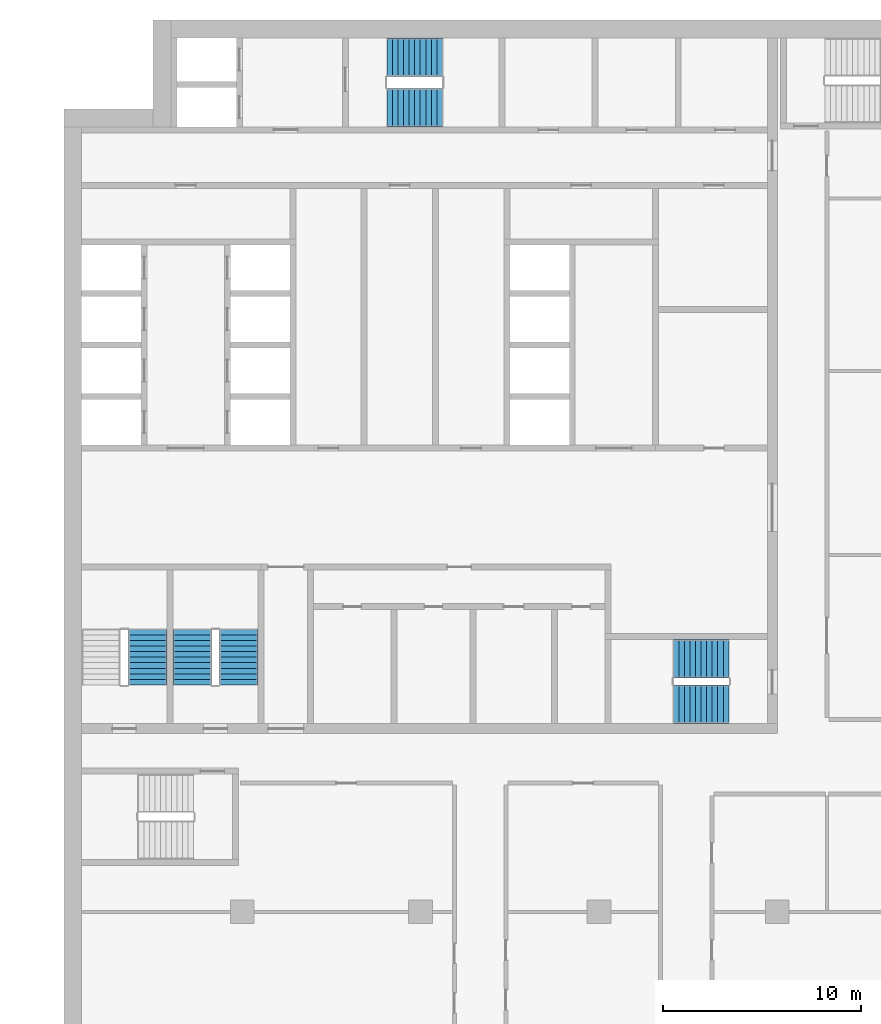
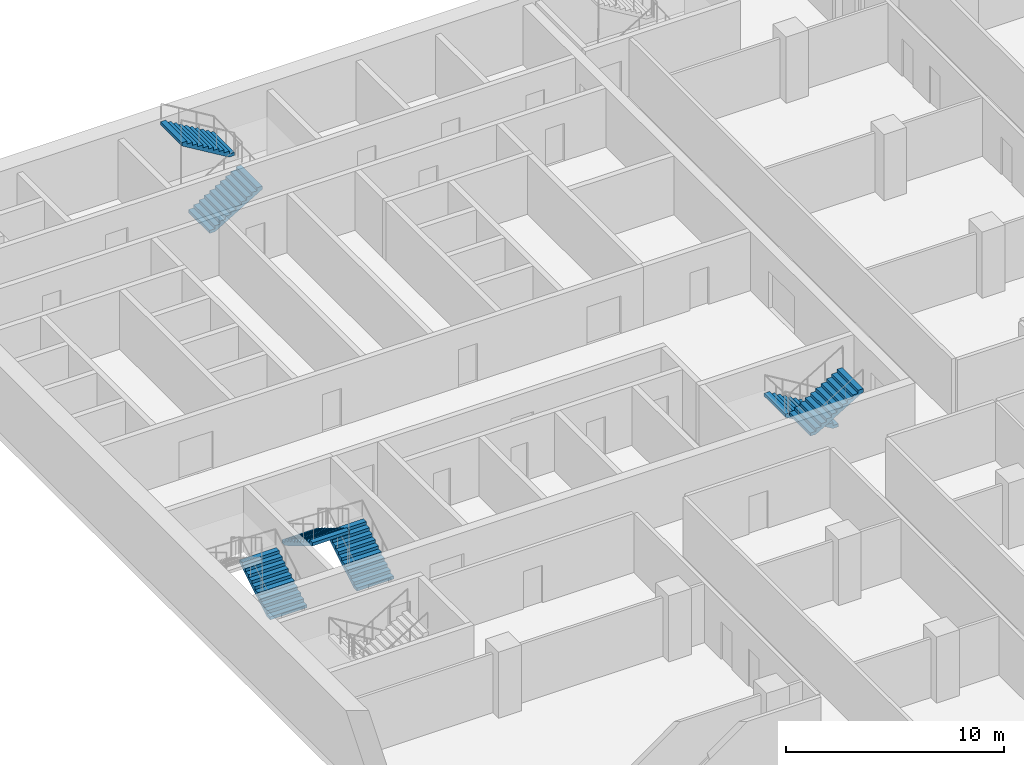
# One storey, part 17 of 23: 7 stair flights, 4 elements without a shape of their own.
"""IFC4 building model written with IfcOpenShell, lengths in metres."""

from ifc_helpers import new_model, si_unit, direction, frame, origin, place, context, subcontext, project, spatial, polyline, outline, extrude, material, type_object, element, aggregate, save


model = new_model("IFC4")

# Units and contexts
model_context = context("Model", 3, precision=1e-05, world=origin(), true_north=direction((0.0, 1.0)))
body_context = subcontext(model_context, "Body", "Model", "MODEL_VIEW")
ifc_project = project(units=[si_unit("LENGTHUNIT", "METRE"), si_unit("AREAUNIT", "SQUARE_METRE"), si_unit("VOLUMEUNIT", "CUBIC_METRE"), si_unit("PLANEANGLEUNIT", "RADIAN"), si_unit("MASSUNIT", "GRAM", prefix="KILO")], contexts=[model_context])

# Site, building, storey
site_placement = place(None, origin())
site = spatial("IfcSite", under=ifc_project, at=site_placement, CompositionType="ELEMENT")
building_placement = place(site_placement, origin())
building = spatial("IfcBuilding", under=site, at=building_placement, Name="Hunhe Ridgeline Campus", CompositionType="ELEMENT")
storey_placement = place(building_placement, frame((0.0, 0.0, 144.89990234375)))
storey = spatial("IfcBuildingStorey", under=building, at=storey_placement, Name="L36", CompositionType="ELEMENT", Elevation=144.89990234375)

# Stair, stair flights
ifc_material = material(Name="Concrete C40", Category="concrete")
stair_type = type_object("IfcStairType", Name="Reinforced concrete dog-leg stair 1950 Concrete C40", PredefinedType="HALF_TURN_STAIR", material=ifc_material)
stair_1_placement = place(storey_placement, origin())
stair_1 = element("IfcStair", 1, at=stair_1_placement, inside=storey, type_object=stair_type, Name="L36 S1", PredefinedType="HALF_TURN_STAIR")
stair_flight_type = type_object("IfcStairFlightType", Name="Reinforced concrete stair flight 1950 Concrete C40", PredefinedType="STRAIGHT", material=ifc_material)
stair_flight_1_placement = place(storey_placement, frame((16.300048828125, 94.574951171875, 0.0), z_axis=(0.0, 0.0, 1.0), x_axis=(1.0, 0.0, 0.0)))
stair_flight_1 = element("IfcStairFlight", 2, at=stair_flight_1_placement, type_object=stair_flight_type, Name="ST1 flight 1", NumberOfRisers=11, NumberOfTreads=10, PredefinedType="STRAIGHT", RiserHeight=0.168181818, TreadLength=0.28, context=body_context, shape_type="SweptSolid", body=[
    extrude(outline(polyline([(0.0, 0.0), (0.0, 0.168212890625), (0.280029296875, 0.168212890625), (0.280029296875, 0.33642578125), (0.56005859375, 0.33642578125), (0.56005859375, 0.504638671875), (0.840087890625, 0.504638671875), (0.840087890625, 0.672607421875), (1.1201171875, 0.672607421875), (1.1201171875, 0.8408203125), (1.39990234375, 0.8408203125), (1.39990234375, 1.009033203125), (1.679931640625, 1.009033203125), (1.679931640625, 1.17724609375), (1.9599609375, 1.17724609375), (1.9599609375, 1.345458984375), (2.239990234375, 1.345458984375), (2.239990234375, 1.513671875), (2.52001953125, 1.513671875), (2.52001953125, 1.681884765625), (2.800048828125, 1.681884765625), (2.800048828125, 1.85009765625), (2.800048828125, 1.5068359375), (0.291015625, 0.0), (0.0, 0.0)])), frame((0.0, 0.97509765625, 0.0), z_axis=(0.0, -1.0, 0.0), x_axis=(1.0, 0.0, 0.0)), (0.0, 0.0, 1.0), 1.949951171875),
    extrude(outline(polyline([(0.030029296875, 0.030029296875), (0.030029296875, 0.13818359375), (0.31005859375, 0.13818359375), (0.31005859375, 0.306396484375), (0.590087890625, 0.306396484375), (0.590087890625, 0.474609375), (0.8701171875, 0.474609375), (0.8701171875, 0.642578125), (1.14990234375, 0.642578125), (1.14990234375, 0.810791015625), (1.429931640625, 0.810791015625), (1.429931640625, 0.97900390625), (1.7099609375, 0.97900390625), (1.7099609375, 1.147216796875), (1.989990234375, 1.147216796875), (1.989990234375, 1.3154296875), (2.27001953125, 1.3154296875), (2.27001953125, 1.483642578125), (2.550048828125, 1.483642578125), (2.550048828125, 1.65185546875), (2.77001953125, 1.65185546875), (2.77001953125, 1.52392578125), (0.28271484375, 0.030029296875), (0.030029296875, 0.030029296875)])), frame((0.0, -0.070068359375, 0.0), z_axis=(0.0, -1.0, 0.0), x_axis=(1.0, 0.0, 0.0)), (0.0, 0.0, 1.0), 0.019775390625),
    extrude(outline(polyline([(0.030029296875, 0.030029296875), (0.030029296875, 0.13818359375), (0.31005859375, 0.13818359375), (0.31005859375, 0.306396484375), (0.590087890625, 0.306396484375), (0.590087890625, 0.474609375), (0.8701171875, 0.474609375), (0.8701171875, 0.642578125), (1.14990234375, 0.642578125), (1.14990234375, 0.810791015625), (1.429931640625, 0.810791015625), (1.429931640625, 0.97900390625), (1.7099609375, 0.97900390625), (1.7099609375, 1.147216796875), (1.989990234375, 1.147216796875), (1.989990234375, 1.3154296875), (2.27001953125, 1.3154296875), (2.27001953125, 1.483642578125), (2.550048828125, 1.483642578125), (2.550048828125, 1.65185546875), (2.77001953125, 1.65185546875), (2.77001953125, 1.52392578125), (0.28271484375, 0.030029296875), (0.030029296875, 0.030029296875)])), frame((0.0, 0.010009765625, 0.0), z_axis=(0.0, -1.0, 0.0), x_axis=(1.0, 0.0, 0.0)), (0.0, 0.0, 1.0), 0.019775390625),
    extrude(outline(polyline([(0.030029296875, 0.030029296875), (0.030029296875, 0.13818359375), (0.31005859375, 0.13818359375), (0.31005859375, 0.306396484375), (0.590087890625, 0.306396484375), (0.590087890625, 0.474609375), (0.8701171875, 0.474609375), (0.8701171875, 0.642578125), (1.14990234375, 0.642578125), (1.14990234375, 0.810791015625), (1.429931640625, 0.810791015625), (1.429931640625, 0.97900390625), (1.7099609375, 0.97900390625), (1.7099609375, 1.147216796875), (1.989990234375, 1.147216796875), (1.989990234375, 1.3154296875), (2.27001953125, 1.3154296875), (2.27001953125, 1.483642578125), (2.550048828125, 1.483642578125), (2.550048828125, 1.65185546875), (2.77001953125, 1.65185546875), (2.77001953125, 1.52392578125), (0.28271484375, 0.030029296875), (0.030029296875, 0.030029296875)])), frame((0.0, 0.090087890625, 0.0), z_axis=(0.0, -1.0, 0.0), x_axis=(1.0, 0.0, 0.0)), (0.0, 0.0, 1.0), 0.019775390625),
])
stair_flight_2_placement = place(storey_placement, frame((19.10009765625, 97.125, 1.85009765625), z_axis=(0.0, 0.0, 1.0), x_axis=(-1.0, 0.0, 0.0)))
stair_flight_2 = element("IfcStairFlight", 3, at=stair_flight_2_placement, type_object=stair_flight_type, Name="ST1 flight 2", NumberOfRisers=11, NumberOfTreads=10, PredefinedType="STRAIGHT", RiserHeight=0.168181818, TreadLength=0.28, context=body_context, shape_type="SweptSolid", body=[
    extrude(outline(polyline([(0.0, 0.0), (0.0, 0.168212890625), (0.280029296875, 0.168212890625), (0.280029296875, 0.33642578125), (0.56005859375, 0.33642578125), (0.56005859375, 0.504638671875), (0.840087890625, 0.504638671875), (0.840087890625, 0.672607421875), (1.1201171875, 0.672607421875), (1.1201171875, 0.8408203125), (1.39990234375, 0.8408203125), (1.39990234375, 1.009033203125), (1.679931640625, 1.009033203125), (1.679931640625, 1.17724609375), (1.9599609375, 1.17724609375), (1.9599609375, 1.345458984375), (2.239990234375, 1.345458984375), (2.239990234375, 1.513671875), (2.52001953125, 1.513671875), (2.52001953125, 1.681884765625), (2.800048828125, 1.681884765625), (2.800048828125, 1.85009765625), (2.800048828125, 1.5068359375), (0.291015625, 0.0), (0.0, 0.0)])), frame((0.0, 0.97509765625, 0.0), z_axis=(0.0, -1.0, 0.0), x_axis=(1.0, 0.0, 0.0)), (0.0, 0.0, 1.0), 1.949951171875),
    extrude(outline(polyline([(0.030029296875, 0.030029296875), (0.030029296875, 0.13818359375), (0.31005859375, 0.13818359375), (0.31005859375, 0.306396484375), (0.590087890625, 0.306396484375), (0.590087890625, 0.474609375), (0.8701171875, 0.474609375), (0.8701171875, 0.642578125), (1.14990234375, 0.642578125), (1.14990234375, 0.810791015625), (1.429931640625, 0.810791015625), (1.429931640625, 0.97900390625), (1.7099609375, 0.97900390625), (1.7099609375, 1.147216796875), (1.989990234375, 1.147216796875), (1.989990234375, 1.3154296875), (2.27001953125, 1.3154296875), (2.27001953125, 1.483642578125), (2.550048828125, 1.483642578125), (2.550048828125, 1.65185546875), (2.77001953125, 1.65185546875), (2.77001953125, 1.52392578125), (0.28271484375, 0.030029296875), (0.030029296875, 0.030029296875)])), frame((0.0, -0.070068359375, 0.0), z_axis=(0.0, -1.0, 0.0), x_axis=(1.0, 0.0, 0.0)), (0.0, 0.0, 1.0), 0.019775390625),
    extrude(outline(polyline([(0.030029296875, 0.030029296875), (0.030029296875, 0.13818359375), (0.31005859375, 0.13818359375), (0.31005859375, 0.306396484375), (0.590087890625, 0.306396484375), (0.590087890625, 0.474609375), (0.8701171875, 0.474609375), (0.8701171875, 0.642578125), (1.14990234375, 0.642578125), (1.14990234375, 0.810791015625), (1.429931640625, 0.810791015625), (1.429931640625, 0.97900390625), (1.7099609375, 0.97900390625), (1.7099609375, 1.147216796875), (1.989990234375, 1.147216796875), (1.989990234375, 1.3154296875), (2.27001953125, 1.3154296875), (2.27001953125, 1.483642578125), (2.550048828125, 1.483642578125), (2.550048828125, 1.65185546875), (2.77001953125, 1.65185546875), (2.77001953125, 1.52392578125), (0.28271484375, 0.030029296875), (0.030029296875, 0.030029296875)])), frame((0.0, 0.010009765625, 0.0), z_axis=(0.0, -1.0, 0.0), x_axis=(1.0, 0.0, 0.0)), (0.0, 0.0, 1.0), 0.019775390625),
    extrude(outline(polyline([(0.030029296875, 0.030029296875), (0.030029296875, 0.13818359375), (0.31005859375, 0.13818359375), (0.31005859375, 0.306396484375), (0.590087890625, 0.306396484375), (0.590087890625, 0.474609375), (0.8701171875, 0.474609375), (0.8701171875, 0.642578125), (1.14990234375, 0.642578125), (1.14990234375, 0.810791015625), (1.429931640625, 0.810791015625), (1.429931640625, 0.97900390625), (1.7099609375, 0.97900390625), (1.7099609375, 1.147216796875), (1.989990234375, 1.147216796875), (1.989990234375, 1.3154296875), (2.27001953125, 1.3154296875), (2.27001953125, 1.483642578125), (2.550048828125, 1.483642578125), (2.550048828125, 1.65185546875), (2.77001953125, 1.65185546875), (2.77001953125, 1.52392578125), (0.28271484375, 0.030029296875), (0.030029296875, 0.030029296875)])), frame((0.0, 0.090087890625, 0.0), z_axis=(0.0, -1.0, 0.0), x_axis=(1.0, 0.0, 0.0)), (0.0, 0.0, 1.0), 0.019775390625),
])
aggregate(stair_1, [stair_flight_1, stair_flight_2])

stair_2_placement = place(storey_placement, origin())
stair_2 = element("IfcStair", 4, at=stair_2_placement, inside=storey, type_object=stair_type, Name="L36 S2", PredefinedType="HALF_TURN_STAIR")
stair_flight_3_placement = place(storey_placement, frame((33.550048828125, 66.77490234375, 0.0), z_axis=(0.0, 0.0, 1.0), x_axis=(-1.0, 0.0, 0.0)))
stair_flight_3 = element("IfcStairFlight", 5, at=stair_flight_3_placement, type_object=stair_flight_type, Name="ST2 flight 1", NumberOfRisers=11, NumberOfTreads=10, PredefinedType="STRAIGHT", RiserHeight=0.168181818, TreadLength=0.28, context=body_context, shape_type="SweptSolid", body=[
    extrude(outline(polyline([(0.0, 0.0), (0.0, 0.168212890625), (0.280029296875, 0.168212890625), (0.280029296875, 0.33642578125), (0.56005859375, 0.33642578125), (0.56005859375, 0.504638671875), (0.840087890625, 0.504638671875), (0.840087890625, 0.672607421875), (1.1201171875, 0.672607421875), (1.1201171875, 0.8408203125), (1.39990234375, 0.8408203125), (1.39990234375, 1.009033203125), (1.679931640625, 1.009033203125), (1.679931640625, 1.17724609375), (1.9599609375, 1.17724609375), (1.9599609375, 1.345458984375), (2.239990234375, 1.345458984375), (2.239990234375, 1.513671875), (2.52001953125, 1.513671875), (2.52001953125, 1.681884765625), (2.800048828125, 1.681884765625), (2.800048828125, 1.85009765625), (2.800048828125, 1.5068359375), (0.291015625, 0.0), (0.0, 0.0)])), frame((0.0, 0.97509765625, 0.0), z_axis=(0.0, -1.0, 0.0), x_axis=(1.0, 0.0, 0.0)), (0.0, 0.0, 1.0), 1.949951171875),
    extrude(outline(polyline([(0.030029296875, 0.030029296875), (0.030029296875, 0.13818359375), (0.31005859375, 0.13818359375), (0.31005859375, 0.306396484375), (0.590087890625, 0.306396484375), (0.590087890625, 0.474609375), (0.8701171875, 0.474609375), (0.8701171875, 0.642578125), (1.14990234375, 0.642578125), (1.14990234375, 0.810791015625), (1.429931640625, 0.810791015625), (1.429931640625, 0.97900390625), (1.7099609375, 0.97900390625), (1.7099609375, 1.147216796875), (1.989990234375, 1.147216796875), (1.989990234375, 1.3154296875), (2.27001953125, 1.3154296875), (2.27001953125, 1.483642578125), (2.550048828125, 1.483642578125), (2.550048828125, 1.65185546875), (2.77001953125, 1.65185546875), (2.77001953125, 1.52392578125), (0.28271484375, 0.030029296875), (0.030029296875, 0.030029296875)])), frame((0.0, -0.070068359375, 0.0), z_axis=(0.0, -1.0, 0.0), x_axis=(1.0, 0.0, 0.0)), (0.0, 0.0, 1.0), 0.019775390625),
    extrude(outline(polyline([(0.030029296875, 0.030029296875), (0.030029296875, 0.13818359375), (0.31005859375, 0.13818359375), (0.31005859375, 0.306396484375), (0.590087890625, 0.306396484375), (0.590087890625, 0.474609375), (0.8701171875, 0.474609375), (0.8701171875, 0.642578125), (1.14990234375, 0.642578125), (1.14990234375, 0.810791015625), (1.429931640625, 0.810791015625), (1.429931640625, 0.97900390625), (1.7099609375, 0.97900390625), (1.7099609375, 1.147216796875), (1.989990234375, 1.147216796875), (1.989990234375, 1.3154296875), (2.27001953125, 1.3154296875), (2.27001953125, 1.483642578125), (2.550048828125, 1.483642578125), (2.550048828125, 1.65185546875), (2.77001953125, 1.65185546875), (2.77001953125, 1.52392578125), (0.28271484375, 0.030029296875), (0.030029296875, 0.030029296875)])), frame((0.0, 0.010009765625, 0.0), z_axis=(0.0, -1.0, 0.0), x_axis=(1.0, 0.0, 0.0)), (0.0, 0.0, 1.0), 0.019775390625),
    extrude(outline(polyline([(0.030029296875, 0.030029296875), (0.030029296875, 0.13818359375), (0.31005859375, 0.13818359375), (0.31005859375, 0.306396484375), (0.590087890625, 0.306396484375), (0.590087890625, 0.474609375), (0.8701171875, 0.474609375), (0.8701171875, 0.642578125), (1.14990234375, 0.642578125), (1.14990234375, 0.810791015625), (1.429931640625, 0.810791015625), (1.429931640625, 0.97900390625), (1.7099609375, 0.97900390625), (1.7099609375, 1.147216796875), (1.989990234375, 1.147216796875), (1.989990234375, 1.3154296875), (2.27001953125, 1.3154296875), (2.27001953125, 1.483642578125), (2.550048828125, 1.483642578125), (2.550048828125, 1.65185546875), (2.77001953125, 1.65185546875), (2.77001953125, 1.52392578125), (0.28271484375, 0.030029296875), (0.030029296875, 0.030029296875)])), frame((0.0, 0.090087890625, 0.0), z_axis=(0.0, -1.0, 0.0), x_axis=(1.0, 0.0, 0.0)), (0.0, 0.0, 1.0), 0.019775390625),
])
stair_flight_4_placement = place(storey_placement, frame((30.75, 64.47509765625, 1.85009765625), z_axis=(0.0, 0.0, 1.0), x_axis=(1.0, 0.0, 0.0)))
stair_flight_4 = element("IfcStairFlight", 6, at=stair_flight_4_placement, type_object=stair_flight_type, Name="ST2 flight 2", NumberOfRisers=11, NumberOfTreads=10, PredefinedType="STRAIGHT", RiserHeight=0.168181818, TreadLength=0.28, context=body_context, shape_type="SweptSolid", body=[
    extrude(outline(polyline([(0.0, 0.0), (0.0, 0.168212890625), (0.280029296875, 0.168212890625), (0.280029296875, 0.33642578125), (0.56005859375, 0.33642578125), (0.56005859375, 0.504638671875), (0.840087890625, 0.504638671875), (0.840087890625, 0.672607421875), (1.1201171875, 0.672607421875), (1.1201171875, 0.8408203125), (1.39990234375, 0.8408203125), (1.39990234375, 1.009033203125), (1.679931640625, 1.009033203125), (1.679931640625, 1.17724609375), (1.9599609375, 1.17724609375), (1.9599609375, 1.345458984375), (2.239990234375, 1.345458984375), (2.239990234375, 1.513671875), (2.52001953125, 1.513671875), (2.52001953125, 1.681884765625), (2.800048828125, 1.681884765625), (2.800048828125, 1.85009765625), (2.800048828125, 1.5068359375), (0.291015625, 0.0), (0.0, 0.0)])), frame((0.0, 0.97509765625, 0.0), z_axis=(0.0, -1.0, 0.0), x_axis=(1.0, 0.0, 0.0)), (0.0, 0.0, 1.0), 1.949951171875),
    extrude(outline(polyline([(0.030029296875, 0.030029296875), (0.030029296875, 0.13818359375), (0.31005859375, 0.13818359375), (0.31005859375, 0.306396484375), (0.590087890625, 0.306396484375), (0.590087890625, 0.474609375), (0.8701171875, 0.474609375), (0.8701171875, 0.642578125), (1.14990234375, 0.642578125), (1.14990234375, 0.810791015625), (1.429931640625, 0.810791015625), (1.429931640625, 0.97900390625), (1.7099609375, 0.97900390625), (1.7099609375, 1.147216796875), (1.989990234375, 1.147216796875), (1.989990234375, 1.3154296875), (2.27001953125, 1.3154296875), (2.27001953125, 1.483642578125), (2.550048828125, 1.483642578125), (2.550048828125, 1.65185546875), (2.77001953125, 1.65185546875), (2.77001953125, 1.52392578125), (0.28271484375, 0.030029296875), (0.030029296875, 0.030029296875)])), frame((0.0, -0.070068359375, 0.0), z_axis=(0.0, -1.0, 0.0), x_axis=(1.0, 0.0, 0.0)), (0.0, 0.0, 1.0), 0.019775390625),
    extrude(outline(polyline([(0.030029296875, 0.030029296875), (0.030029296875, 0.13818359375), (0.31005859375, 0.13818359375), (0.31005859375, 0.306396484375), (0.590087890625, 0.306396484375), (0.590087890625, 0.474609375), (0.8701171875, 0.474609375), (0.8701171875, 0.642578125), (1.14990234375, 0.642578125), (1.14990234375, 0.810791015625), (1.429931640625, 0.810791015625), (1.429931640625, 0.97900390625), (1.7099609375, 0.97900390625), (1.7099609375, 1.147216796875), (1.989990234375, 1.147216796875), (1.989990234375, 1.3154296875), (2.27001953125, 1.3154296875), (2.27001953125, 1.483642578125), (2.550048828125, 1.483642578125), (2.550048828125, 1.65185546875), (2.77001953125, 1.65185546875), (2.77001953125, 1.52392578125), (0.28271484375, 0.030029296875), (0.030029296875, 0.030029296875)])), frame((0.0, 0.010009765625, 0.0), z_axis=(0.0, -1.0, 0.0), x_axis=(1.0, 0.0, 0.0)), (0.0, 0.0, 1.0), 0.019775390625),
    extrude(outline(polyline([(0.030029296875, 0.030029296875), (0.030029296875, 0.13818359375), (0.31005859375, 0.13818359375), (0.31005859375, 0.306396484375), (0.590087890625, 0.306396484375), (0.590087890625, 0.474609375), (0.8701171875, 0.474609375), (0.8701171875, 0.642578125), (1.14990234375, 0.642578125), (1.14990234375, 0.810791015625), (1.429931640625, 0.810791015625), (1.429931640625, 0.97900390625), (1.7099609375, 0.97900390625), (1.7099609375, 1.147216796875), (1.989990234375, 1.147216796875), (1.989990234375, 1.3154296875), (2.27001953125, 1.3154296875), (2.27001953125, 1.483642578125), (2.550048828125, 1.483642578125), (2.550048828125, 1.65185546875), (2.77001953125, 1.65185546875), (2.77001953125, 1.52392578125), (0.28271484375, 0.030029296875), (0.030029296875, 0.030029296875)])), frame((0.0, 0.090087890625, 0.0), z_axis=(0.0, -1.0, 0.0), x_axis=(1.0, 0.0, 0.0)), (0.0, 0.0, 1.0), 0.019775390625),
])
aggregate(stair_2, [stair_flight_3, stair_flight_4])

# Stair, stair flight
stair_3_placement = place(storey_placement, origin())
stair_3 = element("IfcStair", 7, at=stair_3_placement, inside=storey, type_object=stair_type, Name="L36 S3", PredefinedType="HALF_TURN_STAIR")
stair_flight_5_placement = place(storey_placement, frame((4.22509765625, 65.449951171875, 0.0), z_axis=(0.0, 0.0, 1.0), x_axis=(0.0, 1.0, 0.0)))
stair_flight_5 = element("IfcStairFlight", 8, at=stair_flight_5_placement, type_object=stair_flight_type, Name="ST3 flight 1", NumberOfRisers=11, NumberOfTreads=10, PredefinedType="STRAIGHT", RiserHeight=0.168181818, TreadLength=0.28, context=body_context, shape_type="SweptSolid", body=[
    extrude(outline(polyline([(0.0, 0.0), (0.0, 0.168212890625), (0.280029296875, 0.168212890625), (0.280029296875, 0.33642578125), (0.56005859375, 0.33642578125), (0.56005859375, 0.504638671875), (0.840087890625, 0.504638671875), (0.840087890625, 0.672607421875), (1.1201171875, 0.672607421875), (1.1201171875, 0.8408203125), (1.39990234375, 0.8408203125), (1.39990234375, 1.009033203125), (1.679931640625, 1.009033203125), (1.679931640625, 1.17724609375), (1.9599609375, 1.17724609375), (1.9599609375, 1.345458984375), (2.239990234375, 1.345458984375), (2.239990234375, 1.513671875), (2.52001953125, 1.513671875), (2.52001953125, 1.681884765625), (2.800048828125, 1.681884765625), (2.800048828125, 1.85009765625), (2.800048828125, 1.5068359375), (0.291015625, 0.0), (0.0, 0.0)])), frame((0.0, 0.97509765625, 0.0), z_axis=(0.0, -1.0, 0.0), x_axis=(1.0, 0.0, 0.0)), (0.0, 0.0, 1.0), 1.949951171875),
    extrude(outline(polyline([(0.030029296875, 0.030029296875), (0.030029296875, 0.13818359375), (0.31005859375, 0.13818359375), (0.31005859375, 0.306396484375), (0.590087890625, 0.306396484375), (0.590087890625, 0.474609375), (0.8701171875, 0.474609375), (0.8701171875, 0.642578125), (1.14990234375, 0.642578125), (1.14990234375, 0.810791015625), (1.429931640625, 0.810791015625), (1.429931640625, 0.97900390625), (1.7099609375, 0.97900390625), (1.7099609375, 1.147216796875), (1.989990234375, 1.147216796875), (1.989990234375, 1.3154296875), (2.27001953125, 1.3154296875), (2.27001953125, 1.483642578125), (2.550048828125, 1.483642578125), (2.550048828125, 1.65185546875), (2.77001953125, 1.65185546875), (2.77001953125, 1.52392578125), (0.28271484375, 0.030029296875), (0.030029296875, 0.030029296875)])), frame((0.0, -0.070068359375, 0.0), z_axis=(0.0, -1.0, 0.0), x_axis=(1.0, 0.0, 0.0)), (0.0, 0.0, 1.0), 0.019775390625),
    extrude(outline(polyline([(0.030029296875, 0.030029296875), (0.030029296875, 0.13818359375), (0.31005859375, 0.13818359375), (0.31005859375, 0.306396484375), (0.590087890625, 0.306396484375), (0.590087890625, 0.474609375), (0.8701171875, 0.474609375), (0.8701171875, 0.642578125), (1.14990234375, 0.642578125), (1.14990234375, 0.810791015625), (1.429931640625, 0.810791015625), (1.429931640625, 0.97900390625), (1.7099609375, 0.97900390625), (1.7099609375, 1.147216796875), (1.989990234375, 1.147216796875), (1.989990234375, 1.3154296875), (2.27001953125, 1.3154296875), (2.27001953125, 1.483642578125), (2.550048828125, 1.483642578125), (2.550048828125, 1.65185546875), (2.77001953125, 1.65185546875), (2.77001953125, 1.52392578125), (0.28271484375, 0.030029296875), (0.030029296875, 0.030029296875)])), frame((0.0, 0.010009765625, 0.0), z_axis=(0.0, -1.0, 0.0), x_axis=(1.0, 0.0, 0.0)), (0.0, 0.0, 1.0), 0.019775390625),
    extrude(outline(polyline([(0.030029296875, 0.030029296875), (0.030029296875, 0.13818359375), (0.31005859375, 0.13818359375), (0.31005859375, 0.306396484375), (0.590087890625, 0.306396484375), (0.590087890625, 0.474609375), (0.8701171875, 0.474609375), (0.8701171875, 0.642578125), (1.14990234375, 0.642578125), (1.14990234375, 0.810791015625), (1.429931640625, 0.810791015625), (1.429931640625, 0.97900390625), (1.7099609375, 0.97900390625), (1.7099609375, 1.147216796875), (1.989990234375, 1.147216796875), (1.989990234375, 1.3154296875), (2.27001953125, 1.3154296875), (2.27001953125, 1.483642578125), (2.550048828125, 1.483642578125), (2.550048828125, 1.65185546875), (2.77001953125, 1.65185546875), (2.77001953125, 1.52392578125), (0.28271484375, 0.030029296875), (0.030029296875, 0.030029296875)])), frame((0.0, 0.090087890625, 0.0), z_axis=(0.0, -1.0, 0.0), x_axis=(1.0, 0.0, 0.0)), (0.0, 0.0, 1.0), 0.019775390625),
])
aggregate(stair_3, [stair_flight_5])

# Stair, stair flights
stair_4_placement = place(storey_placement, origin())
stair_4 = element("IfcStair", 9, at=stair_4_placement, inside=storey, type_object=stair_type, Name="L36 S4", PredefinedType="HALF_TURN_STAIR")
stair_flight_6_placement = place(storey_placement, frame((8.824951171875, 65.449951171875, 0.0), z_axis=(0.0, 0.0, 1.0), x_axis=(0.0, 1.0, 0.0)))
stair_flight_6 = element("IfcStairFlight", 10, at=stair_flight_6_placement, type_object=stair_flight_type, Name="ST4 flight 1", NumberOfRisers=11, NumberOfTreads=10, PredefinedType="STRAIGHT", RiserHeight=0.168181818, TreadLength=0.28, context=body_context, shape_type="SweptSolid", body=[
    extrude(outline(polyline([(0.0, 0.0), (0.0, 0.168212890625), (0.280029296875, 0.168212890625), (0.280029296875, 0.33642578125), (0.56005859375, 0.33642578125), (0.56005859375, 0.504638671875), (0.840087890625, 0.504638671875), (0.840087890625, 0.672607421875), (1.1201171875, 0.672607421875), (1.1201171875, 0.8408203125), (1.39990234375, 0.8408203125), (1.39990234375, 1.009033203125), (1.679931640625, 1.009033203125), (1.679931640625, 1.17724609375), (1.9599609375, 1.17724609375), (1.9599609375, 1.345458984375), (2.239990234375, 1.345458984375), (2.239990234375, 1.513671875), (2.52001953125, 1.513671875), (2.52001953125, 1.681884765625), (2.800048828125, 1.681884765625), (2.800048828125, 1.85009765625), (2.800048828125, 1.5068359375), (0.291015625, 0.0), (0.0, 0.0)])), frame((0.0, 0.97509765625, 0.0), z_axis=(0.0, -1.0, 0.0), x_axis=(1.0, 0.0, 0.0)), (0.0, 0.0, 1.0), 1.949951171875),
    extrude(outline(polyline([(0.030029296875, 0.030029296875), (0.030029296875, 0.13818359375), (0.31005859375, 0.13818359375), (0.31005859375, 0.306396484375), (0.590087890625, 0.306396484375), (0.590087890625, 0.474609375), (0.8701171875, 0.474609375), (0.8701171875, 0.642578125), (1.14990234375, 0.642578125), (1.14990234375, 0.810791015625), (1.429931640625, 0.810791015625), (1.429931640625, 0.97900390625), (1.7099609375, 0.97900390625), (1.7099609375, 1.147216796875), (1.989990234375, 1.147216796875), (1.989990234375, 1.3154296875), (2.27001953125, 1.3154296875), (2.27001953125, 1.483642578125), (2.550048828125, 1.483642578125), (2.550048828125, 1.65185546875), (2.77001953125, 1.65185546875), (2.77001953125, 1.52392578125), (0.28271484375, 0.030029296875), (0.030029296875, 0.030029296875)])), frame((0.0, -0.070068359375, 0.0), z_axis=(0.0, -1.0, 0.0), x_axis=(1.0, 0.0, 0.0)), (0.0, 0.0, 1.0), 0.019775390625),
    extrude(outline(polyline([(0.030029296875, 0.030029296875), (0.030029296875, 0.13818359375), (0.31005859375, 0.13818359375), (0.31005859375, 0.306396484375), (0.590087890625, 0.306396484375), (0.590087890625, 0.474609375), (0.8701171875, 0.474609375), (0.8701171875, 0.642578125), (1.14990234375, 0.642578125), (1.14990234375, 0.810791015625), (1.429931640625, 0.810791015625), (1.429931640625, 0.97900390625), (1.7099609375, 0.97900390625), (1.7099609375, 1.147216796875), (1.989990234375, 1.147216796875), (1.989990234375, 1.3154296875), (2.27001953125, 1.3154296875), (2.27001953125, 1.483642578125), (2.550048828125, 1.483642578125), (2.550048828125, 1.65185546875), (2.77001953125, 1.65185546875), (2.77001953125, 1.52392578125), (0.28271484375, 0.030029296875), (0.030029296875, 0.030029296875)])), frame((0.0, 0.010009765625, 0.0), z_axis=(0.0, -1.0, 0.0), x_axis=(1.0, 0.0, 0.0)), (0.0, 0.0, 1.0), 0.019775390625),
    extrude(outline(polyline([(0.030029296875, 0.030029296875), (0.030029296875, 0.13818359375), (0.31005859375, 0.13818359375), (0.31005859375, 0.306396484375), (0.590087890625, 0.306396484375), (0.590087890625, 0.474609375), (0.8701171875, 0.474609375), (0.8701171875, 0.642578125), (1.14990234375, 0.642578125), (1.14990234375, 0.810791015625), (1.429931640625, 0.810791015625), (1.429931640625, 0.97900390625), (1.7099609375, 0.97900390625), (1.7099609375, 1.147216796875), (1.989990234375, 1.147216796875), (1.989990234375, 1.3154296875), (2.27001953125, 1.3154296875), (2.27001953125, 1.483642578125), (2.550048828125, 1.483642578125), (2.550048828125, 1.65185546875), (2.77001953125, 1.65185546875), (2.77001953125, 1.52392578125), (0.28271484375, 0.030029296875), (0.030029296875, 0.030029296875)])), frame((0.0, 0.090087890625, 0.0), z_axis=(0.0, -1.0, 0.0), x_axis=(1.0, 0.0, 0.0)), (0.0, 0.0, 1.0), 0.019775390625),
])
stair_flight_7_placement = place(storey_placement, frame((6.47509765625, 68.25, 1.85009765625), z_axis=(0.0, 0.0, 1.0), x_axis=(0.0, -1.0, 0.0)))
stair_flight_7 = element("IfcStairFlight", 11, at=stair_flight_7_placement, type_object=stair_flight_type, Name="ST4 flight 2", NumberOfRisers=11, NumberOfTreads=10, PredefinedType="STRAIGHT", RiserHeight=0.168181818, TreadLength=0.28, context=body_context, shape_type="SweptSolid", body=[
    extrude(outline(polyline([(0.0, 0.0), (0.0, 0.168212890625), (0.280029296875, 0.168212890625), (0.280029296875, 0.33642578125), (0.56005859375, 0.33642578125), (0.56005859375, 0.504638671875), (0.840087890625, 0.504638671875), (0.840087890625, 0.672607421875), (1.1201171875, 0.672607421875), (1.1201171875, 0.8408203125), (1.39990234375, 0.8408203125), (1.39990234375, 1.009033203125), (1.679931640625, 1.009033203125), (1.679931640625, 1.17724609375), (1.9599609375, 1.17724609375), (1.9599609375, 1.345458984375), (2.239990234375, 1.345458984375), (2.239990234375, 1.513671875), (2.52001953125, 1.513671875), (2.52001953125, 1.681884765625), (2.800048828125, 1.681884765625), (2.800048828125, 1.85009765625), (2.800048828125, 1.5068359375), (0.291015625, 0.0), (0.0, 0.0)])), frame((0.0, 0.97509765625, 0.0), z_axis=(0.0, -1.0, 0.0), x_axis=(1.0, 0.0, 0.0)), (0.0, 0.0, 1.0), 1.949951171875),
    extrude(outline(polyline([(0.030029296875, 0.030029296875), (0.030029296875, 0.13818359375), (0.31005859375, 0.13818359375), (0.31005859375, 0.306396484375), (0.590087890625, 0.306396484375), (0.590087890625, 0.474609375), (0.8701171875, 0.474609375), (0.8701171875, 0.642578125), (1.14990234375, 0.642578125), (1.14990234375, 0.810791015625), (1.429931640625, 0.810791015625), (1.429931640625, 0.97900390625), (1.7099609375, 0.97900390625), (1.7099609375, 1.147216796875), (1.989990234375, 1.147216796875), (1.989990234375, 1.3154296875), (2.27001953125, 1.3154296875), (2.27001953125, 1.483642578125), (2.550048828125, 1.483642578125), (2.550048828125, 1.65185546875), (2.77001953125, 1.65185546875), (2.77001953125, 1.52392578125), (0.28271484375, 0.030029296875), (0.030029296875, 0.030029296875)])), frame((0.0, -0.070068359375, 0.0), z_axis=(0.0, -1.0, 0.0), x_axis=(1.0, 0.0, 0.0)), (0.0, 0.0, 1.0), 0.019775390625),
    extrude(outline(polyline([(0.030029296875, 0.030029296875), (0.030029296875, 0.13818359375), (0.31005859375, 0.13818359375), (0.31005859375, 0.306396484375), (0.590087890625, 0.306396484375), (0.590087890625, 0.474609375), (0.8701171875, 0.474609375), (0.8701171875, 0.642578125), (1.14990234375, 0.642578125), (1.14990234375, 0.810791015625), (1.429931640625, 0.810791015625), (1.429931640625, 0.97900390625), (1.7099609375, 0.97900390625), (1.7099609375, 1.147216796875), (1.989990234375, 1.147216796875), (1.989990234375, 1.3154296875), (2.27001953125, 1.3154296875), (2.27001953125, 1.483642578125), (2.550048828125, 1.483642578125), (2.550048828125, 1.65185546875), (2.77001953125, 1.65185546875), (2.77001953125, 1.52392578125), (0.28271484375, 0.030029296875), (0.030029296875, 0.030029296875)])), frame((0.0, 0.010009765625, 0.0), z_axis=(0.0, -1.0, 0.0), x_axis=(1.0, 0.0, 0.0)), (0.0, 0.0, 1.0), 0.019775390625),
    extrude(outline(polyline([(0.030029296875, 0.030029296875), (0.030029296875, 0.13818359375), (0.31005859375, 0.13818359375), (0.31005859375, 0.306396484375), (0.590087890625, 0.306396484375), (0.590087890625, 0.474609375), (0.8701171875, 0.474609375), (0.8701171875, 0.642578125), (1.14990234375, 0.642578125), (1.14990234375, 0.810791015625), (1.429931640625, 0.810791015625), (1.429931640625, 0.97900390625), (1.7099609375, 0.97900390625), (1.7099609375, 1.147216796875), (1.989990234375, 1.147216796875), (1.989990234375, 1.3154296875), (2.27001953125, 1.3154296875), (2.27001953125, 1.483642578125), (2.550048828125, 1.483642578125), (2.550048828125, 1.65185546875), (2.77001953125, 1.65185546875), (2.77001953125, 1.52392578125), (0.28271484375, 0.030029296875), (0.030029296875, 0.030029296875)])), frame((0.0, 0.090087890625, 0.0), z_axis=(0.0, -1.0, 0.0), x_axis=(1.0, 0.0, 0.0)), (0.0, 0.0, 1.0), 0.019775390625),
])
aggregate(stair_4, [stair_flight_6, stair_flight_7])

save(model, "model.ifc")
